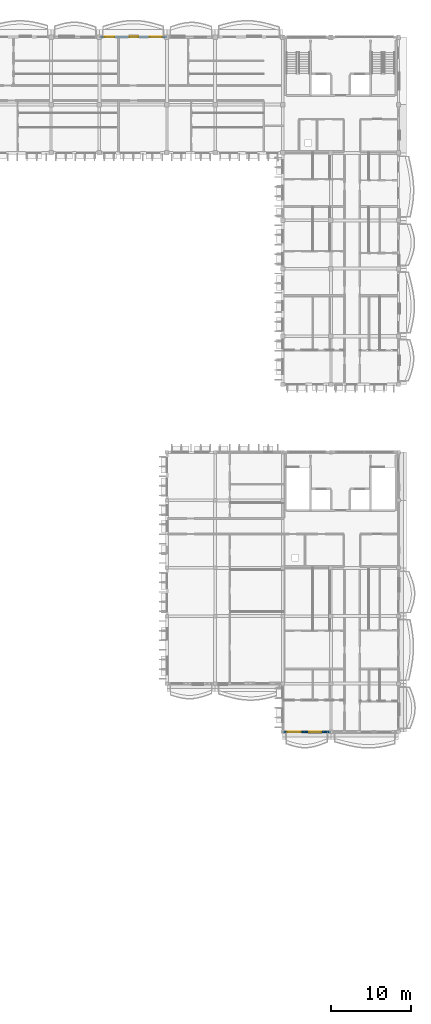
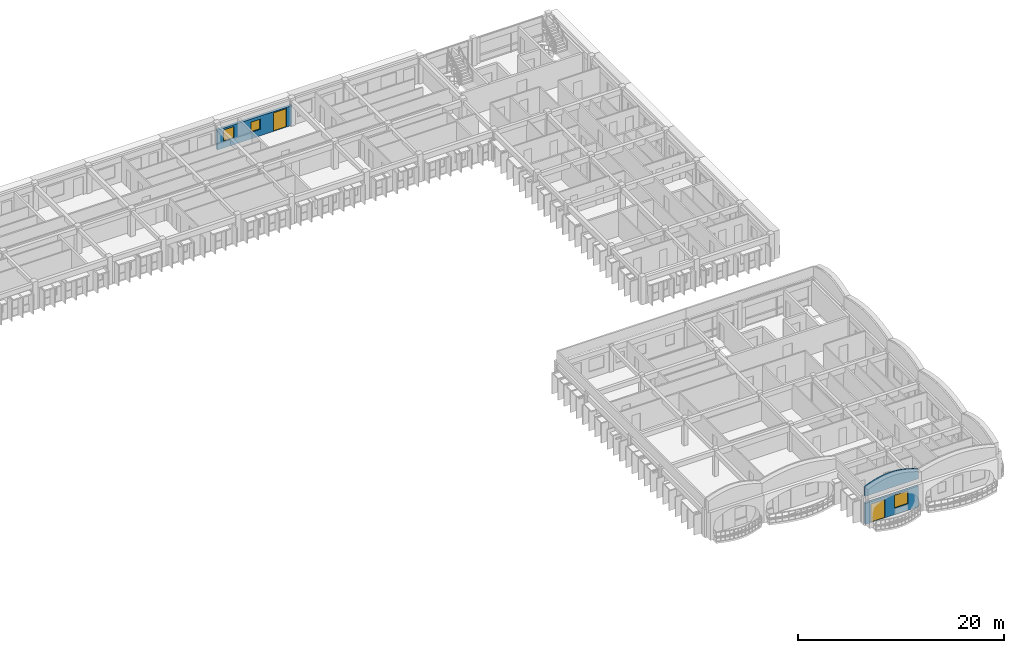
# One storey, part 25 of 59: 3 walls, 3 windows, 2 doors, 5 openings.
"""IFC4 building model written with IfcOpenShell, lengths in metres."""

from ifc_helpers import new_model, si_unit, direction, frame, frame_2d, origin, place, context, subcontext, project, spatial, polyline, rectangle, outline, extrude, material, layer, layer_set, type_object, element, fill, save


model = new_model("IFC4")

# Units and contexts
model_context = context("Model", 3, precision=1e-05, world=origin(), true_north=direction((0.0, 1.0)))
body_context = subcontext(model_context, "Body", "Model", "MODEL_VIEW")
ifc_project = project(units=[si_unit("LENGTHUNIT", "METRE"), si_unit("AREAUNIT", "SQUARE_METRE"), si_unit("VOLUMEUNIT", "CUBIC_METRE"), si_unit("PLANEANGLEUNIT", "RADIAN"), si_unit("MASSUNIT", "GRAM", prefix="KILO"), si_unit("THERMODYNAMICTEMPERATUREUNIT", "KELVIN")], contexts=[model_context])

# Site, building, storey
site_placement = place(None, origin())
site = spatial("IfcSite", under=ifc_project, at=site_placement, CompositionType="ELEMENT")
building_placement = place(site_placement, origin())
building = spatial("IfcBuilding", under=site, at=building_placement, Name="Thalorik Housing Commons", CompositionType="ELEMENT")
storey_placement = place(building_placement, frame((0.0, 0.0, 27.89990234375)))
storey = spatial("IfcBuildingStorey", under=building, at=storey_placement, Name="L08", CompositionType="ELEMENT", Elevation=27.89990234375)

# Wall, openings, door, window
ifc_material_1 = material(Name="White precast concrete C40/50", Category="concrete")
ifc_layer_1 = layer(ifc_material_1, 0.2548828125, Name="White precast concrete C40/50", Category="concrete")
ifc_layer_set_1 = layer_set([ifc_layer_1], Name="White precast concrete C40/50")
wall_type_1 = type_object("IfcWallType", Name="ARC-WAL-EXT-255", PredefinedType="STANDARD", material=ifc_layer_set_1)
wall_1_placement = place(storey_placement, frame((152.39990234375, 37.199951171875, 0.0), z_axis=(0.0, 0.0, 1.0), x_axis=(1.0, 0.0, 0.0)))
wall_1 = element("IfcWall", 1, at=wall_1_placement, inside=storey, type_object=wall_type_1, Name="L08 Exterior Wall WAL-EXT-L08-D-1270", PredefinedType="STANDARD", context=body_context, shape_type="SweptSolid", body=[
    extrude(rectangle(XDim=6.0, YDim=0.2548828125, at=frame_2d((3.0, 0.0))), origin(), (0.0, 0.0, 1.0), 2.47509765625),
])
opening_1_placement = place(wall_1_placement, frame((0.6201171875, 0.0, 0.0)))
opening_1 = element("IfcOpeningElement", 2, at=opening_1_placement, cuts=wall_1, Name="Opening ED-0432", PredefinedType="OPENING", context=body_context, shape_type="SweptSolid", body=[
    extrude(rectangle(XDim=1.60009765625, YDim=2.199951171875, at=frame_2d((0.800048828125, 1.10009765625))), frame((0.0, 0.137451171875, 0.0), z_axis=(0.0, -1.0, 0.0), x_axis=(1.0, 0.0, 0.0)), (0.0, 0.0, 1.0), 0.27490234375),
])
opening_2_placement = place(wall_1_placement, frame((3.300048828125, 0.0, 0.780029296875)))
opening_2 = element("IfcOpeningElement", 3, at=opening_2_placement, cuts=wall_1, Name="Opening W-51", PredefinedType="OPENING", context=body_context, shape_type="SweptSolid", body=[
    extrude(rectangle(XDim=1.47998046875, YDim=1.52001953125, at=frame_2d((0.739990234375, 0.760009765625))), frame((0.0, 0.137451171875, 0.0), z_axis=(0.0, -1.0, 0.0), x_axis=(1.0, 0.0, 0.0)), (0.0, 0.0, 1.0), 0.27490234375),
])
ifc_material_2 = material(Name="Anodised aluminium and laminated safety glass", Category="aluminium")
door_type_1 = type_object("IfcDoorType", Name="ARC-DR-BAL-1600", OperationType="NOTDEFINED", PredefinedType="DOOR", material=ifc_material_2)
door_1_placement = place(opening_1_placement, frame((1.60009765625, 0.0, 0.0), z_axis=(0.0, 0.0, 1.0), x_axis=(-1.0, 0.0, 0.0)))
door_1 = element("IfcDoor", 4, at=door_1_placement, inside=storey, type_object=door_type_1, Name="L08 Block D Balcony Glazed Door", OperationType="SLIDING_TO_LEFT", OverallHeight=2.199951171875, OverallWidth=1.60009765625, PredefinedType="DOOR", context=body_context, shape_type="SweptSolid", body=[
    extrude(rectangle(XDim=1.60009765625, YDim=2.199951171875, at=frame_2d((0.800048828125, 1.10009765625))), frame((0.0, 0.02490234375, 0.0), z_axis=(0.0, -1.0, 0.0), x_axis=(1.0, 0.0, 0.0)), (0.0, 0.0, 1.0), 0.050048828125),
])
fill(opening_1, door_1)
ifc_material_3 = material(Name="Anodised aluminium and solar-control low-E glass", Category="aluminium")
window_type_1 = type_object("IfcWindowType", Name="ARC-WIN-51", PartitioningType="SINGLE_PANEL", PredefinedType="WINDOW", material=ifc_material_3)
window_1_placement = place(opening_2_placement, origin())
window_1 = element("IfcWindow", 5, at=window_1_placement, inside=storey, type_object=window_type_1, Name="L08 Facade Window 2314", OverallHeight=1.52001953125, OverallWidth=1.47998046875, PartitioningType="SINGLE_PANEL", PredefinedType="WINDOW", context=body_context, shape_type="SweptSolid", body=[
    extrude(rectangle(XDim=1.47998046875, YDim=1.52001953125, at=frame_2d((0.739990234375, 0.760009765625))), frame((0.0, 0.030029296875, 0.0), z_axis=(0.0, -1.0, 0.0), x_axis=(1.0, 0.0, 0.0)), (0.0, 0.0, 1.0), 0.06005859375),
])
fill(opening_2, window_1)

# Wall, openings, door, windows
ifc_layer_2 = layer(ifc_material_1, 0.27490234375, Name="White precast concrete C40/50", Category="concrete")
ifc_layer_set_2 = layer_set([ifc_layer_2], Name="White precast concrete C40/50")
wall_type_2 = type_object("IfcWallType", Name="ARC-WAL-EXT-275", PredefinedType="STANDARD", material=ifc_layer_set_2)
wall_2_placement = place(storey_placement, frame((138.0, 123.60009765625, 0.0), z_axis=(0.0, 0.0, 1.0), x_axis=(-1.0, 0.0, 0.0)))
wall_2 = element("IfcWall", 6, at=wall_2_placement, inside=storey, type_object=wall_type_2, Name="L08 Exterior Wall WAL-EXT-L08-B-0677", PredefinedType="STANDARD", context=body_context, shape_type="SweptSolid", body=[
    extrude(rectangle(XDim=8.39990234375, YDim=0.27490234375, at=frame_2d((4.199951171875, 0.0))), origin(), (0.0, 0.0, 1.0), 2.34521484375),
])
opening_3_placement = place(wall_2_placement, frame((0.6201171875, 0.0, 0.0)))
opening_3 = element("IfcOpeningElement", 7, at=opening_3_placement, cuts=wall_2, Name="Opening ED-0224", PredefinedType="OPENING", context=body_context, shape_type="SweptSolid", body=[
    extrude(rectangle(XDim=1.5, YDim=2.199951171875, at=frame_2d((0.75, 1.10009765625))), frame((0.0, 0.1474609375, 0.0), z_axis=(0.0, -1.0, 0.0), x_axis=(1.0, 0.0, 0.0)), (0.0, 0.0, 1.0), 0.294921875),
])
opening_4_placement = place(wall_2_placement, frame((3.580078125, 0.0, 0.780029296875)))
opening_4 = element("IfcOpeningElement", 8, at=opening_4_placement, cuts=wall_2, Name="Opening W-44", PredefinedType="OPENING", context=body_context, shape_type="SweptSolid", body=[
    extrude(rectangle(XDim=1.050048828125, YDim=1.199951171875, at=frame_2d((0.52490234375, 0.60009765625))), frame((0.0, 0.1474609375, 0.0), z_axis=(0.0, -1.0, 0.0), x_axis=(1.0, 0.0, 0.0)), (0.0, 0.0, 1.0), 0.294921875),
])
opening_5_placement = place(wall_2_placement, frame((6.52490234375, 0.0, 0.780029296875)))
opening_5 = element("IfcOpeningElement", 9, at=opening_5_placement, cuts=wall_2, Name="Opening W-04", PredefinedType="OPENING", context=body_context, shape_type="SweptSolid", body=[
    extrude(rectangle(XDim=1.199951171875, YDim=1.35009765625, at=frame_2d((0.60009765625, 0.675048828125))), frame((0.0, 0.1474609375, 0.0), z_axis=(0.0, -1.0, 0.0), x_axis=(1.0, 0.0, 0.0)), (0.0, 0.0, 1.0), 0.294921875),
])
door_type_2 = type_object("IfcDoorType", Name="ARC-DR-BAL-1500", OperationType="NOTDEFINED", PredefinedType="DOOR", material=ifc_material_2)
door_2_placement = place(opening_3_placement, frame((1.5, 0.0, 0.0), z_axis=(0.0, 0.0, 1.0), x_axis=(-1.0, 0.0, 0.0)))
door_2 = element("IfcDoor", 10, at=door_2_placement, inside=storey, type_object=door_type_2, Name="L08 Block B Balcony Glazed Door", OperationType="SLIDING_TO_RIGHT", OverallHeight=2.199951171875, OverallWidth=1.5, PredefinedType="DOOR", context=body_context, shape_type="SweptSolid", body=[
    extrude(rectangle(XDim=1.5, YDim=2.199951171875, at=frame_2d((0.75, 1.10009765625))), frame((0.0, 0.02490234375, 0.0), z_axis=(0.0, -1.0, 0.0), x_axis=(1.0, 0.0, 0.0)), (0.0, 0.0, 1.0), 0.050048828125),
])
fill(opening_3, door_2)
window_type_2 = type_object("IfcWindowType", Name="ARC-WIN-04", PartitioningType="SINGLE_PANEL", PredefinedType="WINDOW", material=ifc_material_3)
window_2_placement = place(opening_5_placement, origin())
window_2 = element("IfcWindow", 11, at=window_2_placement, inside=storey, type_object=window_type_2, Name="L08 Facade Window 1237", OverallHeight=1.35009765625, OverallWidth=1.199951171875, PartitioningType="SINGLE_PANEL", PredefinedType="WINDOW", context=body_context, shape_type="SweptSolid", body=[
    extrude(rectangle(XDim=1.199951171875, YDim=1.35009765625, at=frame_2d((0.60009765625, 0.675048828125))), frame((0.0, 0.030029296875, 0.0), z_axis=(0.0, -1.0, 0.0), x_axis=(1.0, 0.0, 0.0)), (0.0, 0.0, 1.0), 0.06005859375),
])
fill(opening_5, window_2)
window_type_3 = type_object("IfcWindowType", Name="ARC-WIN-44", PartitioningType="SINGLE_PANEL", PredefinedType="WINDOW", material=ifc_material_3)
window_3_placement = place(opening_4_placement, origin())
window_3 = element("IfcWindow", 12, at=window_3_placement, inside=storey, type_object=window_type_3, Name="L08 Facade Window 1236", OverallHeight=1.199951171875, OverallWidth=1.050048828125, PartitioningType="SINGLE_PANEL", PredefinedType="WINDOW", context=body_context, shape_type="SweptSolid", body=[
    extrude(rectangle(XDim=1.050048828125, YDim=1.199951171875, at=frame_2d((0.52490234375, 0.60009765625))), frame((0.0, 0.030029296875, 0.0), z_axis=(0.0, -1.0, 0.0), x_axis=(1.0, 0.0, 0.0)), (0.0, 0.0, 1.0), 0.06005859375),
])
fill(opening_4, window_3)

# Wall
ifc_layer_3 = layer(ifc_material_1, 0.179931640625, Name="White precast concrete C40/50", Category="concrete")
ifc_layer_set_3 = layer_set([ifc_layer_3], Name="White precast concrete C40/50")
wall_type_3 = type_object("IfcWallType", Name="ARC-WAL-PAR-180", PredefinedType="PARAPET", material=ifc_layer_set_3)
wall_3_placement = place(storey_placement, frame((152.39990234375, 37.199951171875, 3.300048828125), z_axis=(0.0, 0.0, 1.0), x_axis=(1.0, 0.0, 0.0)))
element("IfcWall", 13, at=wall_3_placement, inside=storey, type_object=wall_type_3, Name="L08 Block D Scalloped Arched Roof Parapet 50", PredefinedType="PARAPET", context=body_context, shape_type="SweptSolid", body=[
    extrude(outline(polyline([(0.0, 0.0), (6.0, 0.0), (6.0, 1.1201171875), (5.5, 1.321533203125), (5.0, 1.484375), (4.5, 1.617919921875), (4.0, 1.717529296875), (3.5, 1.779052734375), (3.0, 1.800048828125), (2.5, 1.779052734375), (2.0, 1.717529296875), (1.5, 1.617919921875), (1.0, 1.484375), (0.5, 1.321533203125), (0.0, 1.1201171875), (0.0, 0.0)])), frame((0.0, 0.08984375, 0.0), z_axis=(0.0, -1.0, 0.0), x_axis=(1.0, 0.0, 0.0)), (0.0, 0.0, 1.0), 0.179931640625),
])

save(model, "model.ifc")
